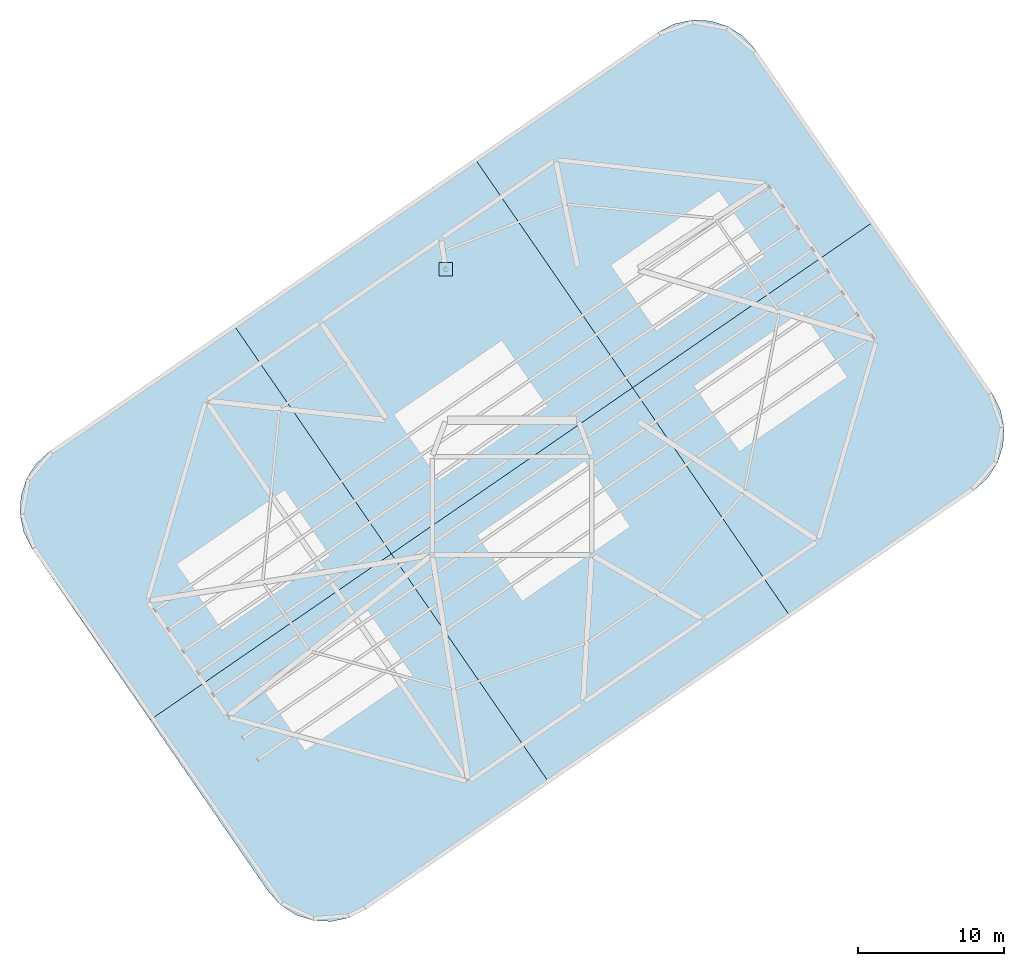
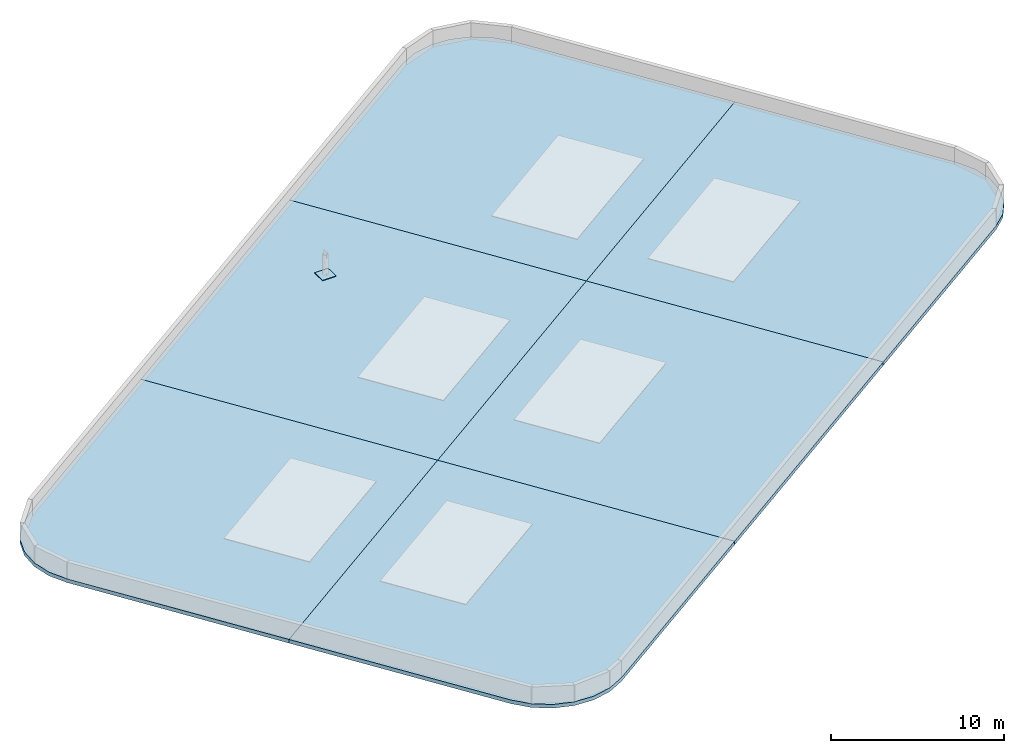
# One storey, part 3 of 7: 6 slabs, 1 plate.
"""IFC4 building model written with IfcOpenShell, lengths in metres."""

from ifc_helpers import new_model, si_unit, direction, frame, origin, origin_2d, place, context, subcontext, project, spatial, polyline, rectangle, outline, extrude, source, transform, mapped, material, layer, layer_set, type_object, element, save


model = new_model("IFC4")

# Units and contexts
model_context = context("Model", 3, precision=1e-05, world=origin(), true_north=direction((0.0, 1.0)))
body_context = subcontext(model_context, "Body", "Model", "MODEL_VIEW")
ifc_project = project(units=[si_unit("LENGTHUNIT", "METRE"), si_unit("AREAUNIT", "SQUARE_METRE"), si_unit("VOLUMEUNIT", "CUBIC_METRE"), si_unit("PLANEANGLEUNIT", "RADIAN"), si_unit("MASSUNIT", "GRAM", prefix="KILO")], contexts=[model_context])

# Site, building, storey
site_placement = place(None, origin())
site = spatial("IfcSite", under=ifc_project, at=site_placement, CompositionType="ELEMENT")
building_placement = place(site_placement, origin())
building = spatial("IfcBuilding", under=site, at=building_placement, Name="Varnelok Gate Tower", CompositionType="ELEMENT")
storey_placement = place(building_placement, frame((0.0, 0.0, 310.699951171875)))
storey = spatial("IfcBuildingStorey", under=building, at=storey_placement, Name="ROOF", CompositionType="ELEMENT", Elevation=310.699951171875)

# Slabs
ifc_material_1 = material(Name="Concrete C45/55", Category="concrete")
ifc_layer_1 = layer(ifc_material_1, 0.260009765625)
ifc_layer_set_1 = layer_set([ifc_layer_1], Name="Concrete C45/55")
slab_type = type_object("IfcSlabType", Name="SLB-ROOF-260", PredefinedType="ROOF", material=ifc_layer_set_1)
slab_1_placement = place(storey_placement, frame((0.0, 0.0, -0.260009765625)))
element("IfcSlab", 1, at=slab_1_placement, inside=storey, type_object=slab_type, Name="Constructivist Canopy Roof Sector 1", PredefinedType="ROOF", context=body_context, shape_type="SweptSolid", body=[
    extrude(outline(polyline([(29.22509765625, -4.642333984375), (28.109130859375, -5.21240234375), (26.8837890625, -5.47412109375), (25.63232421875, -5.409912109375), (24.440185546875, -5.02392578125), (23.388671875, -4.342529296875), (22.54931640625, -3.412109375), (14.493896484375, 8.281982421875), (30.964599609375, 19.627197265625), (41.742919921875, 3.980224609375), (29.22509765625, -4.642333984375)])), origin(), (0.0, 0.0, 1.0), 0.260009765625),
])
slab_2_placement = place(storey_placement, frame((0.0, 0.0, -0.260009765625)))
element("IfcSlab", 2, at=slab_2_placement, inside=storey, type_object=slab_type, Name="Constructivist Canopy Roof Sector 2", PredefinedType="ROOF", context=body_context, shape_type="SweptSolid", body=[
    extrude(outline(polyline([(6.438720703125, 19.97607421875), (5.868896484375, 21.092041015625), (5.60693359375, 22.3173828125), (5.671142578125, 23.56884765625), (6.05712890625, 24.760986328125), (6.738525390625, 25.8125), (7.6689453125, 26.65185546875), (20.1865234375, 35.2744140625), (30.964599609375, 19.627197265625), (14.493896484375, 8.281982421875), (6.438720703125, 19.97607421875)])), origin(), (0.0, 0.0, 1.0), 0.260009765625),
])
slab_3_placement = place(storey_placement, frame((0.0, 0.0, -0.260009765625)))
element("IfcSlab", 3, at=slab_3_placement, inside=storey, type_object=slab_type, Name="Constructivist Canopy Roof Sector 3", PredefinedType="ROOF", context=body_context, shape_type="SweptSolid", body=[
    extrude(outline(polyline([(41.742919921875, 3.980224609375), (30.964599609375, 19.627197265625), (47.435302734375, 30.97265625), (58.21337890625, 15.32568359375), (41.742919921875, 3.980224609375)])), origin(), (0.0, 0.0, 1.0), 0.260009765625),
])
slab_4_placement = place(storey_placement, frame((0.0, 0.0, -0.260009765625)))
element("IfcSlab", 4, at=slab_4_placement, inside=storey, type_object=slab_type, Name="Constructivist Canopy Roof Sector 4", PredefinedType="ROOF", context=body_context, shape_type="SweptSolid", body=[
    extrude(outline(polyline([(36.6572265625, 46.619873046875), (47.435302734375, 30.97265625), (30.964599609375, 19.627197265625), (20.1865234375, 35.2744140625), (36.6572265625, 46.619873046875)])), origin(), (0.0, 0.0, 1.0), 0.260009765625),
])
slab_5_placement = place(storey_placement, frame((0.0, 0.0, -0.260009765625)))
element("IfcSlab", 5, at=slab_5_placement, inside=storey, type_object=slab_type, Name="Constructivist Canopy Roof Sector 5", PredefinedType="ROOF", context=body_context, shape_type="SweptSolid", body=[
    extrude(outline(polyline([(71.961181640625, 30.623779296875), (72.53125, 29.508056640625), (72.79296875, 28.28271484375), (72.728759765625, 27.03125), (72.3427734375, 25.839111328125), (71.661376953125, 24.78759765625), (70.731201171875, 23.947998046875), (58.21337890625, 15.32568359375), (47.435302734375, 30.97265625), (63.906005859375, 42.318115234375), (71.961181640625, 30.623779296875)])), origin(), (0.0, 0.0, 1.0), 0.260009765625),
])
slab_6_placement = place(storey_placement, frame((0.0, 0.0, -0.260009765625)))
element("IfcSlab", 6, at=slab_6_placement, inside=storey, type_object=slab_type, Name="Constructivist Canopy Roof Sector 6", PredefinedType="ROOF", context=body_context, shape_type="SweptSolid", body=[
    extrude(outline(polyline([(49.1748046875, 55.2421875), (50.290771484375, 55.812255859375), (51.51611328125, 56.07421875), (52.767578125, 56.010009765625), (53.959716796875, 55.623779296875), (55.01123046875, 54.9423828125), (55.850830078125, 54.01220703125), (63.906005859375, 42.318115234375), (47.435302734375, 30.97265625), (36.6572265625, 46.619873046875), (49.1748046875, 55.2421875)])), origin(), (0.0, 0.0, 1.0), 0.260009765625),
])

# Plate
ifc_material_2 = material(Name="Structural Steel ASTM A572 Grade 50", Category="steel")
ifc_layer_2 = layer(ifc_material_2, 0.0400390625)
ifc_layer_set_2 = layer_set([ifc_layer_2], Name="Structural Steel ASTM A572 Grade 50")
plate_type = type_object("IfcPlateType", Name="PLT-GUSSET-40", PredefinedType="USERDEFINED", material=ifc_layer_set_2)
shared_shape = source(origin(), body_context, "Body", "SweptSolid", [
    extrude(rectangle(XDim=0.89990234375, YDim=0.89990234375, at=origin_2d()), origin(), (0.0, 0.0, 1.0), 0.0400390625),
])
plate_placement = place(storey_placement, frame((34.679931640625, 39.050048828125, 0.0), z_axis=(0.0, 0.0, 1.0), x_axis=(1.0, 0.0, 0.0)))
element("IfcPlate", 7, at=plate_placement, inside=storey, type_object=plate_type, Name="Roof BMU Davit Base Plate BMU-1", ObjectType="GUSSET PLATE", PredefinedType="USERDEFINED", context=body_context, shape_type="MappedRepresentation", body=[
    mapped(shared_shape, transform((0.0, 0.0, 0.0), scale=1.0)),
])

save(model, "model.ifc")
